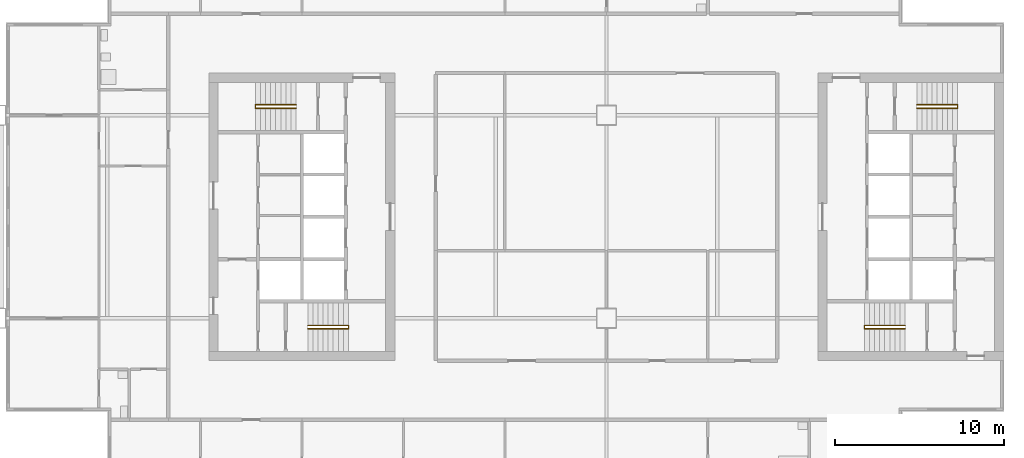
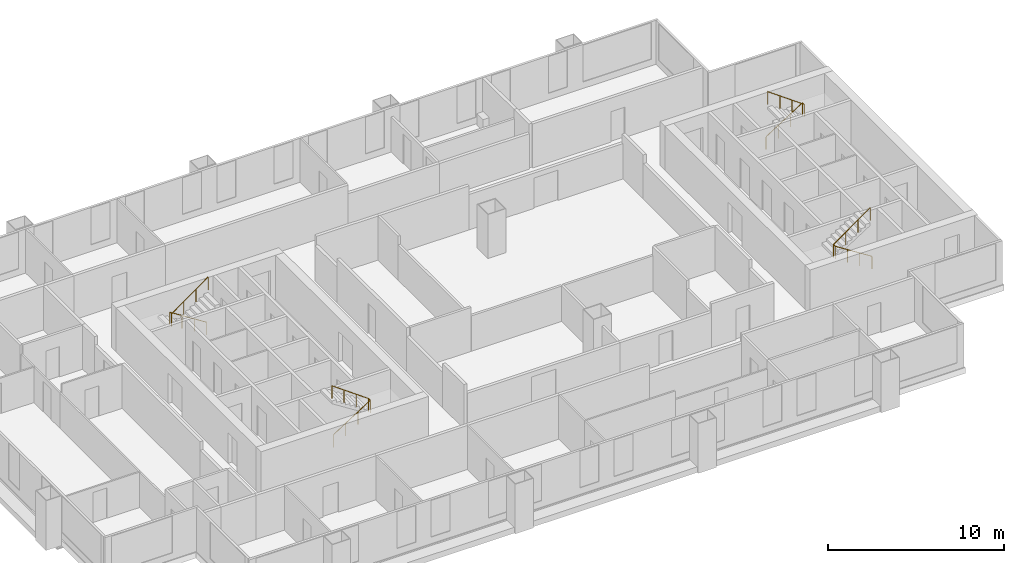
# One storey, part 8 of 9: 4 railings.
"""IFC4 building model written with IfcOpenShell, lengths in metres."""

from ifc_helpers import new_model, si_unit, direction, frame, origin, origin_2d, place, context, subcontext, project, spatial, circle, extrude, material, type_object, element, save


model = new_model("IFC4")

# Units and contexts
model_context = context("Model", 3, precision=1e-05, world=origin(), true_north=direction((0.0, 1.0)))
body_context = subcontext(model_context, "Body", "Model", "MODEL_VIEW")
ifc_project = project(units=[si_unit("LENGTHUNIT", "METRE"), si_unit("AREAUNIT", "SQUARE_METRE"), si_unit("VOLUMEUNIT", "CUBIC_METRE"), si_unit("PLANEANGLEUNIT", "RADIAN"), si_unit("MASSUNIT", "GRAM", prefix="KILO")], contexts=[model_context])

# Site, building, storey
site_placement = place(None, origin())
site = spatial("IfcSite", under=ifc_project, at=site_placement, CompositionType="ELEMENT")
building_placement = place(site_placement, origin())
building = spatial("IfcBuilding", under=site, at=building_placement, Name="Kitamizu Gate Tower and Museum", CompositionType="ELEMENT")
storey_placement = place(building_placement, frame((0.0, 0.0, 196.199951171875)))
storey = spatial("IfcBuildingStorey", under=building, at=storey_placement, Name="L52", CompositionType="ELEMENT", Elevation=196.199951171875)

# Railings
ifc_material = material(Name="Stainless steel SUS304", Category="steel")
railing_type = type_object("IfcRailingType", Name="Stair handrail 900", PredefinedType="HANDRAIL", material=ifc_material)
railing_1_placement = place(storey_placement, frame((18.35009765625, 23.375, 0.191650390625)))
element("IfcRailing", 1, at=railing_1_placement, inside=storey, type_object=railing_type, Name="Stair handrail ST1", PredefinedType="HANDRAIL", context=body_context, shape_type="SweptSolid", body=[
    extrude(circle(Radius=0.02392578125, at=origin_2d()), frame((0.0, 0.0, 0.8759765625), z_axis=(0.842668169335, 0.0, 0.538433242278), x_axis=(0.0, 1.0, 0.0)), (0.0, 0.0, 1.0), 2.847900390625),
    extrude(circle(Radius=0.02392578125, at=origin_2d()), frame((2.39990234375, 0.0, 2.4091796875), z_axis=(0.0, 1.0, 0.0), x_axis=(-1.0, 0.0, 0.0)), (0.0, 0.0, 1.0), 0.199951171875),
    extrude(circle(Radius=0.02392578125, at=origin_2d()), frame((2.39990234375, 0.199951171875, 2.4091796875), z_axis=(-0.81202760531, 0.0, 0.583619026604), x_axis=(0.0, -1.0, 0.0)), (0.0, 0.0, 1.0), 2.955322265625),
    extrude(circle(Radius=0.02099609375, at=origin_2d()), origin(), (0.0, 0.0, 1.0), 0.851806640625),
    extrude(circle(Radius=0.02099609375, at=origin_2d()), frame((0.800048828125, 0.0, 0.51123046875)), (0.0, 0.0, 1.0), 0.851806640625),
    extrude(circle(Radius=0.02099609375, at=origin_2d()), frame((1.599853515625, 0.0, 1.022216796875)), (0.0, 0.0, 1.0), 0.851806640625),
    extrude(circle(Radius=0.02099609375, at=origin_2d()), frame((2.39990234375, 0.0, 1.533447265625)), (0.0, 0.0, 1.0), 0.851806640625),
    extrude(circle(Radius=0.02099609375, at=origin_2d()), frame((2.39990234375, 0.199951171875, 1.533447265625)), (0.0, 0.0, 1.0), 0.851806640625),
    extrude(circle(Radius=0.02099609375, at=origin_2d()), frame((1.599853515625, 0.199951171875, 2.1083984375)), (0.0, 0.0, 1.0), 0.851806640625),
    extrude(circle(Radius=0.02099609375, at=origin_2d()), frame((0.800048828125, 0.199951171875, 2.683349609375)), (0.0, 0.0, 1.0), 0.851806640625),
    extrude(circle(Radius=0.02099609375, at=origin_2d()), frame((0.0, 0.199951171875, 3.25830078125)), (0.0, 0.0, 1.0), 0.851806640625),
])
railing_2_placement = place(storey_placement, frame((17.64990234375, 36.625, 0.191650390625)))
element("IfcRailing", 2, at=railing_2_placement, inside=storey, type_object=railing_type, Name="Stair handrail ST2", PredefinedType="HANDRAIL", context=body_context, shape_type="SweptSolid", body=[
    extrude(circle(Radius=0.02392578125, at=origin_2d()), frame((0.0, 0.0, 0.8759765625), z_axis=(-0.842668169335, 0.0, 0.538433242278), x_axis=(0.0, -1.0, 0.0)), (0.0, 0.0, 1.0), 2.847900390625),
    extrude(circle(Radius=0.02392578125, at=origin_2d()), frame((-2.39990234375, 0.0, 2.4091796875), z_axis=(0.0, -1.0, 0.0), x_axis=(1.0, 0.0, 0.0)), (0.0, 0.0, 1.0), 0.199951171875),
    extrude(circle(Radius=0.02392578125, at=origin_2d()), frame((-2.39990234375, -0.199951171875, 2.4091796875), z_axis=(0.81202760531, 0.0, 0.583619026604), x_axis=(0.0, 1.0, 0.0)), (0.0, 0.0, 1.0), 2.955322265625),
    extrude(circle(Radius=0.02099609375, at=origin_2d()), origin(), (0.0, 0.0, 1.0), 0.851806640625),
    extrude(circle(Radius=0.02099609375, at=origin_2d()), frame((-0.800048828125, 0.0, 0.51123046875)), (0.0, 0.0, 1.0), 0.851806640625),
    extrude(circle(Radius=0.02099609375, at=origin_2d()), frame((-1.599853515625, 0.0, 1.022216796875)), (0.0, 0.0, 1.0), 0.851806640625),
    extrude(circle(Radius=0.02099609375, at=origin_2d()), frame((-2.39990234375, 0.0, 1.533447265625)), (0.0, 0.0, 1.0), 0.851806640625),
    extrude(circle(Radius=0.02099609375, at=origin_2d()), frame((-2.39990234375, -0.199951171875, 1.533447265625)), (0.0, 0.0, 1.0), 0.851806640625),
    extrude(circle(Radius=0.02099609375, at=origin_2d()), frame((-1.599853515625, -0.199951171875, 2.1083984375)), (0.0, 0.0, 1.0), 0.851806640625),
    extrude(circle(Radius=0.02099609375, at=origin_2d()), frame((-0.800048828125, -0.199951171875, 2.683349609375)), (0.0, 0.0, 1.0), 0.851806640625),
    extrude(circle(Radius=0.02099609375, at=origin_2d()), frame((0.0, -0.199951171875, 3.25830078125)), (0.0, 0.0, 1.0), 0.851806640625),
])
railing_3_placement = place(storey_placement, frame((53.64990234375, 23.375, 0.191650390625)))
element("IfcRailing", 3, at=railing_3_placement, inside=storey, type_object=railing_type, Name="Stair handrail ST3", PredefinedType="HANDRAIL", context=body_context, shape_type="SweptSolid", body=[
    extrude(circle(Radius=0.02392578125, at=origin_2d()), frame((0.0, 0.0, 0.8759765625), z_axis=(-0.842668169335, 0.0, 0.538433242278), x_axis=(0.0, -1.0, 0.0)), (0.0, 0.0, 1.0), 2.847900390625),
    extrude(circle(Radius=0.02392578125, at=origin_2d()), frame((-2.39990234375, 0.0, 2.4091796875), z_axis=(0.0, 1.0, 0.0), x_axis=(-1.0, 0.0, 0.0)), (0.0, 0.0, 1.0), 0.199951171875),
    extrude(circle(Radius=0.02392578125, at=origin_2d()), frame((-2.39990234375, 0.199951171875, 2.4091796875), z_axis=(0.81202760531, 0.0, 0.583619026604), x_axis=(0.0, 1.0, 0.0)), (0.0, 0.0, 1.0), 2.955322265625),
    extrude(circle(Radius=0.02099609375, at=origin_2d()), origin(), (0.0, 0.0, 1.0), 0.851806640625),
    extrude(circle(Radius=0.02099609375, at=origin_2d()), frame((-0.800048828125, 0.0, 0.51123046875)), (0.0, 0.0, 1.0), 0.851806640625),
    extrude(circle(Radius=0.02099609375, at=origin_2d()), frame((-1.599853515625, 0.0, 1.022216796875)), (0.0, 0.0, 1.0), 0.851806640625),
    extrude(circle(Radius=0.02099609375, at=origin_2d()), frame((-2.39990234375, 0.0, 1.533447265625)), (0.0, 0.0, 1.0), 0.851806640625),
    extrude(circle(Radius=0.02099609375, at=origin_2d()), frame((-2.39990234375, 0.199951171875, 1.533447265625)), (0.0, 0.0, 1.0), 0.851806640625),
    extrude(circle(Radius=0.02099609375, at=origin_2d()), frame((-1.599853515625, 0.199951171875, 2.1083984375)), (0.0, 0.0, 1.0), 0.851806640625),
    extrude(circle(Radius=0.02099609375, at=origin_2d()), frame((-0.800048828125, 0.199951171875, 2.683349609375)), (0.0, 0.0, 1.0), 0.851806640625),
    extrude(circle(Radius=0.02099609375, at=origin_2d()), frame((0.0, 0.199951171875, 3.25830078125)), (0.0, 0.0, 1.0), 0.851806640625),
])
railing_4_placement = place(storey_placement, frame((54.35009765625, 36.625, 0.191650390625)))
element("IfcRailing", 4, at=railing_4_placement, inside=storey, type_object=railing_type, Name="Stair handrail ST4", PredefinedType="HANDRAIL", context=body_context, shape_type="SweptSolid", body=[
    extrude(circle(Radius=0.02392578125, at=origin_2d()), frame((0.0, 0.0, 0.8759765625), z_axis=(0.842668169335, 0.0, 0.538433242278), x_axis=(0.0, 1.0, 0.0)), (0.0, 0.0, 1.0), 2.847900390625),
    extrude(circle(Radius=0.02392578125, at=origin_2d()), frame((2.39990234375, 0.0, 2.4091796875), z_axis=(0.0, -1.0, 0.0), x_axis=(1.0, 0.0, 0.0)), (0.0, 0.0, 1.0), 0.199951171875),
    extrude(circle(Radius=0.02392578125, at=origin_2d()), frame((2.39990234375, -0.199951171875, 2.4091796875), z_axis=(-0.81202760531, 0.0, 0.583619026604), x_axis=(0.0, -1.0, 0.0)), (0.0, 0.0, 1.0), 2.955322265625),
    extrude(circle(Radius=0.02099609375, at=origin_2d()), origin(), (0.0, 0.0, 1.0), 0.851806640625),
    extrude(circle(Radius=0.02099609375, at=origin_2d()), frame((0.800048828125, 0.0, 0.51123046875)), (0.0, 0.0, 1.0), 0.851806640625),
    extrude(circle(Radius=0.02099609375, at=origin_2d()), frame((1.599853515625, 0.0, 1.022216796875)), (0.0, 0.0, 1.0), 0.851806640625),
    extrude(circle(Radius=0.02099609375, at=origin_2d()), frame((2.39990234375, 0.0, 1.533447265625)), (0.0, 0.0, 1.0), 0.851806640625),
    extrude(circle(Radius=0.02099609375, at=origin_2d()), frame((2.39990234375, -0.199951171875, 1.533447265625)), (0.0, 0.0, 1.0), 0.851806640625),
    extrude(circle(Radius=0.02099609375, at=origin_2d()), frame((1.599853515625, -0.199951171875, 2.1083984375)), (0.0, 0.0, 1.0), 0.851806640625),
    extrude(circle(Radius=0.02099609375, at=origin_2d()), frame((0.800048828125, -0.199951171875, 2.683349609375)), (0.0, 0.0, 1.0), 0.851806640625),
    extrude(circle(Radius=0.02099609375, at=origin_2d()), frame((0.0, -0.199951171875, 3.25830078125)), (0.0, 0.0, 1.0), 0.851806640625),
])

save(model, "model.ifc")
